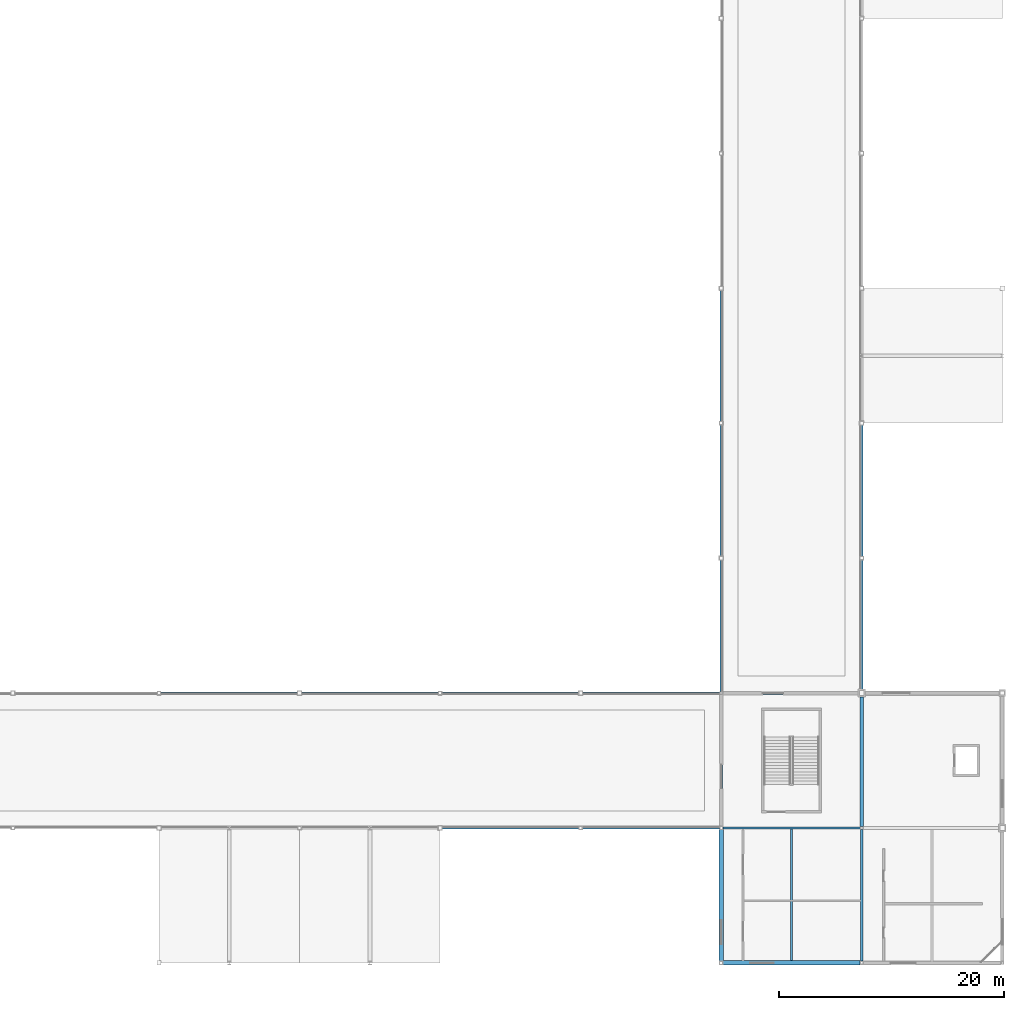
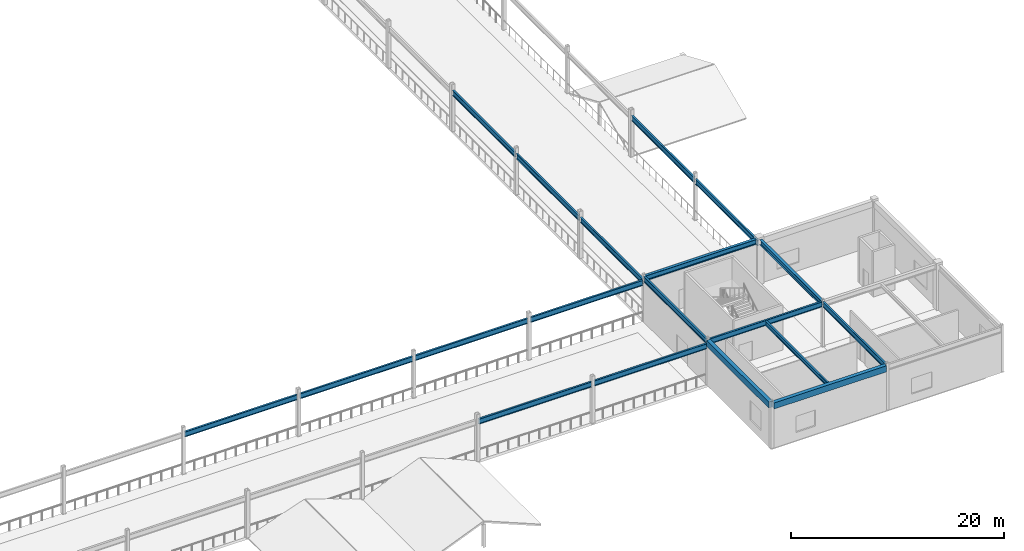
# One storey, part 43 of 105: 19 beams.
"""IFC4 building model written with IfcOpenShell, lengths in metres."""

from ifc_helpers import new_model, si_unit, direction, frame, origin, origin_2d, place, context, subcontext, project, spatial, rectangle, i_section, extrude, material, material_profile, profile_set, type_object, element, save


model = new_model("IFC4")

# Units and contexts
model_context = context("Model", 3, precision=1e-05, world=origin(), true_north=direction((0.0, 1.0)))
body_context = subcontext(model_context, "Body", "Model", "MODEL_VIEW")
ifc_project = project(units=[si_unit("LENGTHUNIT", "METRE"), si_unit("AREAUNIT", "SQUARE_METRE"), si_unit("VOLUMEUNIT", "CUBIC_METRE"), si_unit("PLANEANGLEUNIT", "RADIAN"), si_unit("MASSUNIT", "GRAM", prefix="KILO")], contexts=[model_context])

# Site, building, storey
site_placement = place(None, origin())
site = spatial("IfcSite", under=ifc_project, at=site_placement, CompositionType="ELEMENT")
building_placement = place(site_placement, origin())
building = spatial("IfcBuilding", under=site, at=building_placement, Name="Kazenohara Klinker Stadium", CompositionType="ELEMENT")
storey_placement = place(building_placement, frame((0.0, 0.0, 20.39990234375)))
storey = spatial("IfcBuildingStorey", under=building, at=storey_placement, Name="L04", CompositionType="ELEMENT", Elevation=20.39990234375)

# Beams
ifc_material_1 = material(Name="Steel S355", Category="steel")
ifc_material_profile_1 = material_profile(ifc_material_1, i_section(OverallWidth=0.199951171875, OverallDepth=0.5, WebThickness=0.010009765625, FlangeThickness=0.01611328125, FilletRadius=0.012939453125, at=origin_2d()), Name="H-500x200x10x16")
ifc_profile_set_1 = profile_set([ifc_material_profile_1], Name="Steel S355")
beam_type_1 = type_object("IfcBeamType", Name="BM-JST01", PredefinedType="JOIST", material=ifc_profile_set_1)
beam_1_placement = place(storey_placement, frame((181.25, 12.199951171875, 4.93017578125), z_axis=(0.0, 1.0, 0.0), x_axis=(-1.0, 0.0, 0.0)))
element("IfcBeam", 1, at=beam_1_placement, inside=storey, type_object=beam_type_1, Name="Secondary floor joist SJ01 L04 15/B", PredefinedType="JOIST", context=body_context, shape_type="SweptSolid", body=[
    extrude(i_section(OverallWidth=0.199951171875, OverallDepth=0.5, WebThickness=0.010009765625, FlangeThickness=0.01611328125, FilletRadius=0.012939453125, at=origin_2d()), origin(), (0.0, 0.0, 1.0), 11.699951171875),
])
ifc_material_2 = material(Name="Concrete C40/50", Category="concrete")
ifc_material_profile_2 = material_profile(ifc_material_2, rectangle(XDim=0.39990234375, YDim=0.699951171875, at=origin_2d()), Name="RC-BM-400x700")
ifc_profile_set_2 = profile_set([ifc_material_profile_2], Name="Concrete C40/50")
beam_type_2 = type_object("IfcBeamType", Name="BM-RC04", PredefinedType="BEAM", material=ifc_profile_set_2)
beam_2_placement = place(storey_placement, frame((175.175048828125, 12.0, 4.830078125), z_axis=(1.0, 0.0, 0.0), x_axis=(0.0, 1.0, 0.0)))
element("IfcBeam", 2, at=beam_2_placement, inside=storey, type_object=beam_type_2, Name="Primary girder BG04 L04 15-16/B", PredefinedType="BEAM", context=body_context, shape_type="SweptSolid", body=[
    extrude(rectangle(XDim=0.39990234375, YDim=0.699951171875, at=origin_2d()), origin(), (0.0, 0.0, 1.0), 12.175048828125),
])
beam_3_placement = place(storey_placement, frame((175.0, 12.175048828125, 4.830078125), z_axis=(0.0, 1.0, 0.0), x_axis=(-1.0, 0.0, 0.0)))
element("IfcBeam", 3, at=beam_3_placement, inside=storey, type_object=beam_type_2, Name="Primary girder BG04 L04 15/B-C", PredefinedType="BEAM", context=body_context, shape_type="SweptSolid", body=[
    extrude(rectangle(XDim=0.39990234375, YDim=0.699951171875, at=origin_2d()), origin(), (0.0, 0.0, 1.0), 11.675048828125),
])
ifc_material_profile_3 = material_profile(ifc_material_1, i_section(OverallWidth=0.199951171875, OverallDepth=0.60009765625, WebThickness=0.010986328125, FlangeThickness=0.01708984375, FilletRadius=0.012939453125, at=origin_2d()), Name="H-600x200x11x17")
ifc_profile_set_3 = profile_set([ifc_material_profile_3], Name="Steel S355")
beam_type_3 = type_object("IfcBeamType", Name="BM-ST04", PredefinedType="BEAM", material=ifc_profile_set_3)
beam_4_placement = place(storey_placement, frame((175.14990234375, 24.0, 4.880126953125), z_axis=(1.0, 0.0, 0.0), x_axis=(0.0, 1.0, 0.0)))
element("IfcBeam", 4, at=beam_4_placement, inside=storey, type_object=beam_type_3, Name="Primary girder SB04 L04 15-16/C", PredefinedType="BEAM", context=body_context, shape_type="SweptSolid", body=[
    extrude(i_section(OverallWidth=0.199951171875, OverallDepth=0.60009765625, WebThickness=0.010986328125, FlangeThickness=0.01708984375, FilletRadius=0.012939453125, at=origin_2d()), origin(), (0.0, 0.0, 1.0), 12.22509765625),
])
for number, where, z_axis, x_axis, name in (
    (5, (175.0, 24.14990234375, 4.880126953125), (0.0, 1.0, 0.0), (-1.0, 0.0, 0.0), "Primary girder SB04 L04 15/C-D"),
    (6, (187.5, 12.14990234375, 4.880126953125), (0.0, 1.0, 0.0), (-1.0, 0.0, 0.0), "Primary girder SB04 L04 16/B-C"),
):
    element("IfcBeam", number, at=place(storey_placement, frame(where, z_axis=z_axis, x_axis=x_axis)), inside=storey, type_object=beam_type_3, Name=name, PredefinedType="BEAM", context=body_context, shape_type="SweptSolid", body=[
        extrude(i_section(OverallWidth=0.199951171875, OverallDepth=0.60009765625, WebThickness=0.010986328125, FlangeThickness=0.01708984375, FilletRadius=0.012939453125, at=origin_2d()), origin(), (0.0, 0.0, 1.0), 11.72509765625),
    ])
for number, where, z_axis, x_axis, name in (
    (7, (175.0, 36.139892578125, 4.4501953125), (0.0, 1.0, 0.0), (-1.0, 0.0, 0.0), "Canopy tie girder SB04 L04 15/D"),
    (8, (187.5, 36.139892578125, 4.4501953125), (0.0, 1.0, 0.0), (-1.0, 0.0, 0.0), "Canopy tie girder SB04 L04 16/D"),
    (9, (175.0, 48.139892578125, 4.4501953125), (0.0, 1.0, 0.0), (-1.0, 0.0, 0.0), "Canopy tie girder SB04 L04 15/E"),
    (10, (187.5, 48.139892578125, 4.4501953125), (0.0, 1.0, 0.0), (-1.0, 0.0, 0.0), "Canopy tie girder SB04 L04 16/E"),
    (11, (175.0, 60.139892578125, 4.4501953125), (0.0, 1.0, 0.0), (-1.0, 0.0, 0.0), "Canopy tie girder SB04 L04 15/F"),
):
    element("IfcBeam", number, at=place(storey_placement, frame(where, z_axis=z_axis, x_axis=x_axis)), inside=storey, type_object=beam_type_3, Name=name, PredefinedType="BEAM", context=body_context, shape_type="SweptSolid", body=[
        extrude(i_section(OverallWidth=0.199951171875, OverallDepth=0.60009765625, WebThickness=0.010986328125, FlangeThickness=0.01708984375, FilletRadius=0.012939453125, at=origin_2d()), origin(), (0.0, 0.0, 1.0), 11.72021484375),
    ])
for number, where, z_axis, x_axis, name in (
    (12, (125.139892578125, 36.0, 4.4501953125), (1.0, 0.0, 0.0), (0.0, 1.0, 0.0), "Canopy tie girder SB04 L04 11-12/D"),
    (13, (137.639892578125, 36.0, 4.4501953125), (1.0, 0.0, 0.0), (0.0, 1.0, 0.0), "Canopy tie girder SB04 L04 12-13/D"),
    (14, (150.139892578125, 24.0, 4.4501953125), (1.0, 0.0, 0.0), (0.0, 1.0, 0.0), "Canopy tie girder SB04 L04 13-14/C"),
    (15, (150.139892578125, 36.0, 4.4501953125), (1.0, 0.0, 0.0), (0.0, 1.0, 0.0), "Canopy tie girder SB04 L04 13-14/D"),
    (16, (162.639892578125, 24.0, 4.4501953125), (1.0, 0.0, 0.0), (0.0, 1.0, 0.0), "Canopy tie girder SB04 L04 14-15/C"),
    (17, (162.639892578125, 36.0, 4.4501953125), (1.0, 0.0, 0.0), (0.0, 1.0, 0.0), "Canopy tie girder SB04 L04 14-15/D"),
):
    element("IfcBeam", number, at=place(storey_placement, frame(where, z_axis=z_axis, x_axis=x_axis)), inside=storey, type_object=beam_type_3, Name=name, PredefinedType="BEAM", context=body_context, shape_type="SweptSolid", body=[
        extrude(i_section(OverallWidth=0.199951171875, OverallDepth=0.60009765625, WebThickness=0.010986328125, FlangeThickness=0.01708984375, FilletRadius=0.012939453125, at=origin_2d()), origin(), (0.0, 0.0, 1.0), 12.22021484375),
    ])
ifc_material_profile_4 = material_profile(ifc_material_1, i_section(OverallWidth=0.300048828125, OverallDepth=0.587890625, WebThickness=0.011962890625, FlangeThickness=0.02001953125, FilletRadius=0.02197265625, at=origin_2d()), Name="H-588x300x12x20")
ifc_profile_set_4 = profile_set([ifc_material_profile_4], Name="Steel S355")
beam_type_4 = type_object("IfcBeamType", Name="BM-ST05", PredefinedType="BEAM", material=ifc_profile_set_4)
beam_5_placement = place(storey_placement, frame((175.125, 36.0, 4.885986328125), z_axis=(1.0, 0.0, 0.0), x_axis=(0.0, 1.0, 0.0)))
element("IfcBeam", 18, at=beam_5_placement, inside=storey, type_object=beam_type_4, Name="Primary girder SB05 L04 15-16/D", PredefinedType="BEAM", context=body_context, shape_type="SweptSolid", body=[
    extrude(i_section(OverallWidth=0.300048828125, OverallDepth=0.587890625, WebThickness=0.011962890625, FlangeThickness=0.02001953125, FilletRadius=0.02197265625, at=origin_2d()), origin(), (0.0, 0.0, 1.0), 12.02490234375),
])
beam_6_placement = place(storey_placement, frame((187.5, 24.125, 4.885986328125), z_axis=(0.0, 1.0, 0.0), x_axis=(-1.0, 0.0, 0.0)))
element("IfcBeam", 19, at=beam_6_placement, inside=storey, type_object=beam_type_4, Name="Primary girder SB05 L04 16/C-D", PredefinedType="BEAM", context=body_context, shape_type="SweptSolid", body=[
    extrude(i_section(OverallWidth=0.300048828125, OverallDepth=0.587890625, WebThickness=0.011962890625, FlangeThickness=0.02001953125, FilletRadius=0.02197265625, at=origin_2d()), origin(), (0.0, 0.0, 1.0), 11.52490234375),
])

save(model, "model.ifc")
